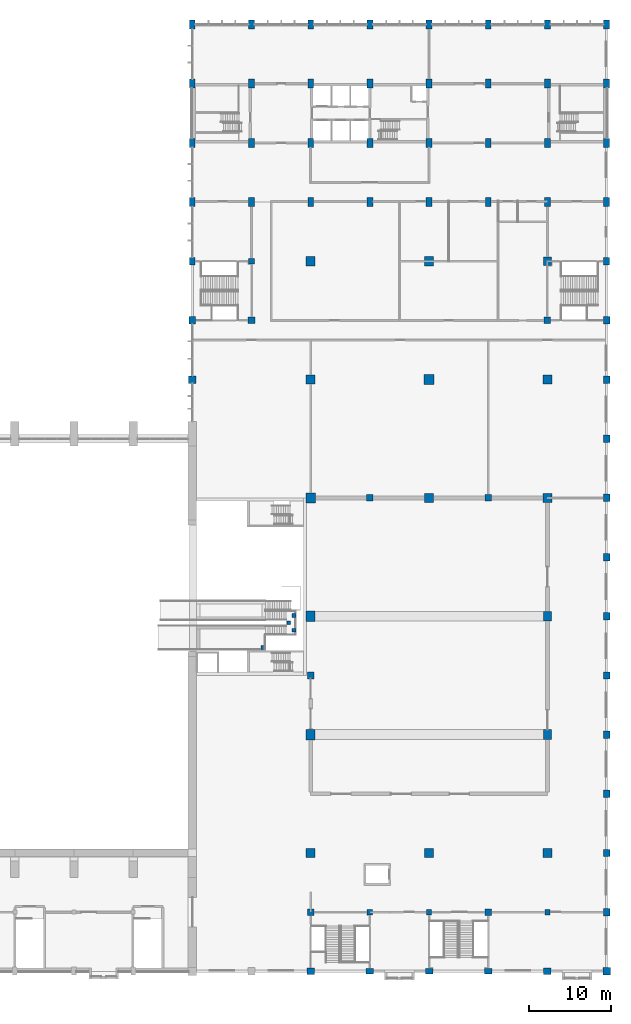
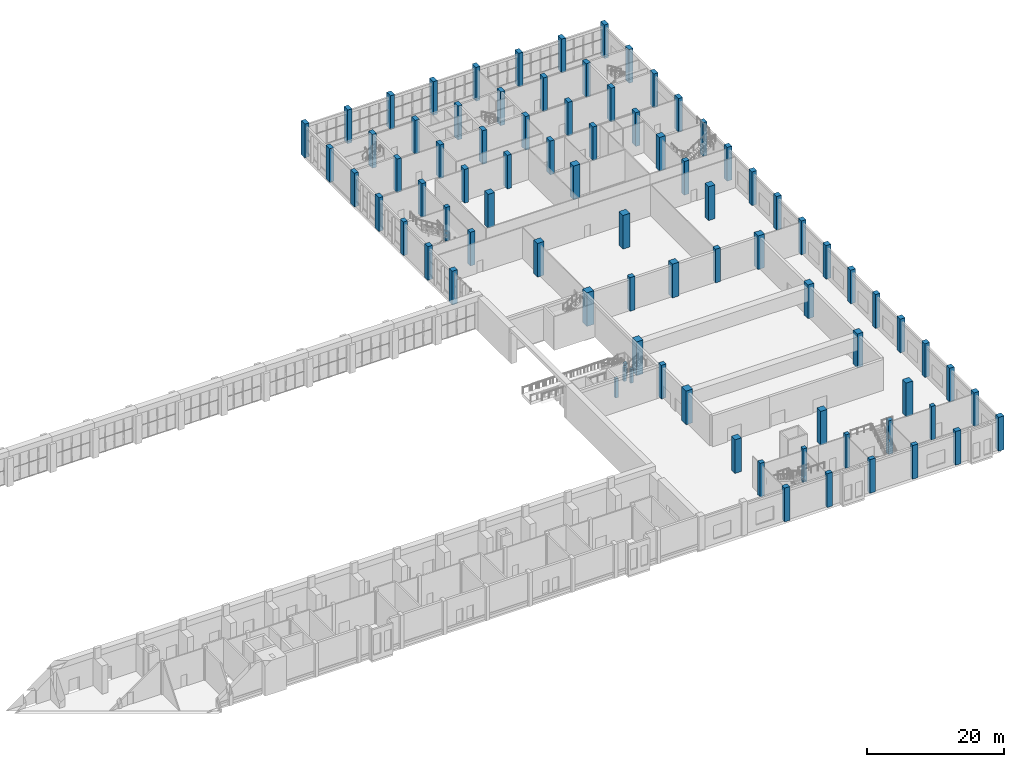
# One storey, part 2 of 44: 84 columns.
"""IFC4 building model written with IfcOpenShell, lengths in metres."""

from ifc_helpers import new_model, si_unit, direction, frame, origin, origin_2d, place, context, subcontext, project, spatial, rectangle, extrude, material, material_profile, profile_set, type_object, element, save


model = new_model("IFC4")

# Units and contexts
model_context = context("Model", 3, precision=1e-05, world=origin(), true_north=direction((0.0, 1.0)))
body_context = subcontext(model_context, "Body", "Model", "MODEL_VIEW")
ifc_project = project(units=[si_unit("LENGTHUNIT", "METRE"), si_unit("AREAUNIT", "SQUARE_METRE"), si_unit("VOLUMEUNIT", "CUBIC_METRE"), si_unit("PLANEANGLEUNIT", "RADIAN"), si_unit("MASSUNIT", "GRAM", prefix="KILO")], contexts=[model_context])

# Site, building, storey
site_placement = place(None, origin())
site = spatial("IfcSite", under=ifc_project, at=site_placement, CompositionType="ELEMENT")
building_placement = place(site_placement, origin())
building = spatial("IfcBuilding", under=site, at=building_placement, Name="Vermilion Court Aquatics Centre", CompositionType="ELEMENT")
storey_placement = place(building_placement, frame((0.0, 0.0, 6.0)))
storey = spatial("IfcBuildingStorey", under=building, at=storey_placement, Name="L01", CompositionType="ELEMENT", Elevation=6.0)

# Columns
ifc_material_1 = material(Name="Concrete 5000 psi", Category="concrete")
ifc_material_profile_1 = material_profile(ifc_material_1, rectangle(XDim=0.449951171875, YDim=0.449951171875, at=origin_2d()), Name="RC 450x450")
ifc_profile_set_1 = profile_set([ifc_material_profile_1], Name="Concrete 5000 psi")
column_type_1 = type_object("IfcColumnType", Name="Hall RC 450x450", PredefinedType="COLUMN", material=ifc_profile_set_1)
for number, where, z_axis, x_axis, name in (
    (1, (156.3701171875, 41.5, 0.0), (0.0, 0.0, 1.0), (1.0, 0.0, 0.0), "Diving tower stair column B1-1"),
    (2, (156.3701171875, 43.300048828125, 0.0), (0.0, 0.0, 1.0), (1.0, 0.0, 0.0), "Diving tower stair column B1-2"),
    (3, (155.719970703125, 42.39990234375, 0.0), (0.0, 0.0, 1.0), (1.0, 0.0, 0.0), "Diving tower stair column B1-G"),
):
    element("IfcColumn", number, at=place(storey_placement, frame(where, z_axis=z_axis, x_axis=x_axis)), inside=storey, type_object=column_type_1, Name=name, PredefinedType="COLUMN", context=body_context, shape_type="SweptSolid", body=[
        extrude(rectangle(XDim=0.449951171875, YDim=0.449951171875, at=origin_2d()), origin(), (0.0, 0.0, 1.0), 2.449951171875),
    ])
ifc_material_2 = material(Name="Concrete 5000 psi", Category="concrete")
ifc_material_profile_2 = material_profile(ifc_material_2, rectangle(XDim=0.5, YDim=0.5, at=origin_2d()), Name="RC 500x500")
ifc_profile_set_2 = profile_set([ifc_material_profile_2], Name="Concrete 5000 psi")
column_type_2 = type_object("IfcColumnType", Name="Hall RC 500x500", PredefinedType="COLUMN", material=ifc_profile_set_2)
column_1_placement = place(storey_placement, frame((152.60009765625, 39.39990234375, 0.0), z_axis=(0.0, 0.0, 1.0), x_axis=(1.0, 0.0, 0.0)))
element("IfcColumn", 4, at=column_1_placement, inside=storey, type_object=column_type_2, Name="Platform support column", PredefinedType="COLUMN", context=body_context, shape_type="SweptSolid", body=[
    extrude(rectangle(XDim=0.5, YDim=0.5, at=origin_2d()), origin(), (0.0, 0.0, 1.0), 3.39990234375),
])
ifc_material_3 = material(Name="Concrete 8000 psi", Category="concrete")
ifc_material_profile_3 = material_profile(ifc_material_3, rectangle(XDim=0.699951171875, YDim=1.10009765625, at=origin_2d()), Name="RC 700x1100")
ifc_profile_set_3 = profile_set([ifc_material_profile_3], Name="Concrete 8000 psi")
column_type_3 = type_object("IfcColumnType", Name="North block inner column 700x1100", PredefinedType="COLUMN", material=ifc_profile_set_3)
for number, where, z_axis, x_axis, name in (
    (5, (151.199951171875, 100.800048828125, 0.0), (0.0, 0.0, 1.0), (1.0, 0.0, 0.0), "Column 22Q L01"),
    (6, (151.199951171875, 108.0, 0.0), (0.0, 0.0, 1.0), (1.0, 0.0, 0.0), "Column 22R L01"),
    (7, (158.39990234375, 100.800048828125, 0.0), (0.0, 0.0, 1.0), (1.0, 0.0, 0.0), "Column 23Q L01"),
    (8, (158.39990234375, 108.0, 0.0), (0.0, 0.0, 1.0), (1.0, 0.0, 0.0), "Column 23R L01"),
    (9, (165.60009765625, 100.800048828125, 0.0), (0.0, 0.0, 1.0), (1.0, 0.0, 0.0), "Column 24Q L01"),
    (10, (165.60009765625, 108.0, 0.0), (0.0, 0.0, 1.0), (1.0, 0.0, 0.0), "Column 24R L01"),
    (11, (172.800048828125, 100.800048828125, 0.0), (0.0, 0.0, 1.0), (1.0, 0.0, 0.0), "Column 25Q L01"),
    (12, (172.800048828125, 108.0, 0.0), (0.0, 0.0, 1.0), (1.0, 0.0, 0.0), "Column 25R L01"),
    (13, (180.0, 100.800048828125, 0.0), (0.0, 0.0, 1.0), (1.0, 0.0, 0.0), "Column 26Q L01"),
    (14, (180.0, 108.0, 0.0), (0.0, 0.0, 1.0), (1.0, 0.0, 0.0), "Column 26R L01"),
    (15, (187.199951171875, 100.800048828125, 0.0), (0.0, 0.0, 1.0), (1.0, 0.0, 0.0), "Column 27Q L01"),
    (16, (187.199951171875, 108.0, 0.0), (0.0, 0.0, 1.0), (1.0, 0.0, 0.0), "Column 27R L01"),
):
    element("IfcColumn", number, at=place(storey_placement, frame(where, z_axis=z_axis, x_axis=x_axis)), inside=storey, type_object=column_type_3, Name=name, PredefinedType="COLUMN", context=body_context, shape_type="SweptSolid", body=[
        extrude(rectangle(XDim=0.699951171875, YDim=1.10009765625, at=origin_2d()), origin(), (0.0, 0.0, 1.0), 6.0),
    ])
ifc_material_4 = material(Name="Concrete 8000 psi", Category="concrete")
ifc_material_profile_4 = material_profile(ifc_material_4, rectangle(XDim=0.699951171875, YDim=1.10009765625, at=origin_2d()), Name="RC 700x1100")
ifc_profile_set_4 = profile_set([ifc_material_profile_4], Name="Concrete 8000 psi")
column_type_4 = type_object("IfcColumnType", Name="North block perimeter column 700x1100", PredefinedType="COLUMN", material=ifc_profile_set_4)
for number, where, z_axis, x_axis, name in (
    (17, (144.0, 93.60009765625, 0.0), (0.0, 0.0, 1.0), (1.0, 0.0, 0.0), "Column 21P L01"),
    (18, (144.0, 100.800048828125, 0.0), (0.0, 0.0, 1.0), (1.0, 0.0, 0.0), "Column 21Q L01"),
    (19, (144.0, 108.0, 0.0), (0.0, 0.0, 1.0), (1.0, 0.0, 0.0), "Column 21R L01"),
    (20, (144.0, 115.199951171875, 0.0), (0.0, 0.0, 1.0), (1.0, 0.0, 0.0), "Column 21S L01"),
    (21, (151.199951171875, 93.60009765625, 0.0), (0.0, 0.0, 1.0), (1.0, 0.0, 0.0), "Column 22P L01"),
    (22, (151.199951171875, 115.199951171875, 0.0), (0.0, 0.0, 1.0), (1.0, 0.0, 0.0), "Column 22S L01"),
    (23, (158.39990234375, 93.60009765625, 0.0), (0.0, 0.0, 1.0), (1.0, 0.0, 0.0), "Column 23P L01"),
    (24, (158.39990234375, 115.199951171875, 0.0), (0.0, 0.0, 1.0), (1.0, 0.0, 0.0), "Column 23S L01"),
    (25, (165.60009765625, 93.60009765625, 0.0), (0.0, 0.0, 1.0), (1.0, 0.0, 0.0), "Column 24P L01"),
    (26, (165.60009765625, 115.199951171875, 0.0), (0.0, 0.0, 1.0), (1.0, 0.0, 0.0), "Column 24S L01"),
    (27, (172.800048828125, 93.60009765625, 0.0), (0.0, 0.0, 1.0), (1.0, 0.0, 0.0), "Column 25P L01"),
    (28, (172.800048828125, 115.199951171875, 0.0), (0.0, 0.0, 1.0), (1.0, 0.0, 0.0), "Column 25S L01"),
    (29, (180.0, 93.60009765625, 0.0), (0.0, 0.0, 1.0), (1.0, 0.0, 0.0), "Column 26P L01"),
    (30, (180.0, 115.199951171875, 0.0), (0.0, 0.0, 1.0), (1.0, 0.0, 0.0), "Column 26S L01"),
    (31, (187.199951171875, 93.60009765625, 0.0), (0.0, 0.0, 1.0), (1.0, 0.0, 0.0), "Column 27P L01"),
    (32, (187.199951171875, 115.199951171875, 0.0), (0.0, 0.0, 1.0), (1.0, 0.0, 0.0), "Column 27S L01"),
    (33, (194.39990234375, 93.60009765625, 0.0), (0.0, 0.0, 1.0), (1.0, 0.0, 0.0), "Column 28P L01"),
    (34, (194.39990234375, 100.800048828125, 0.0), (0.0, 0.0, 1.0), (1.0, 0.0, 0.0), "Column 28Q L01"),
    (35, (194.39990234375, 108.0, 0.0), (0.0, 0.0, 1.0), (1.0, 0.0, 0.0), "Column 28R L01"),
    (36, (194.39990234375, 115.199951171875, 0.0), (0.0, 0.0, 1.0), (1.0, 0.0, 0.0), "Column 28S L01"),
):
    element("IfcColumn", number, at=place(storey_placement, frame(where, z_axis=z_axis, x_axis=x_axis)), inside=storey, type_object=column_type_4, Name=name, PredefinedType="COLUMN", context=body_context, shape_type="SweptSolid", body=[
        extrude(rectangle(XDim=0.699951171875, YDim=1.10009765625, at=origin_2d()), origin(), (0.0, 0.0, 1.0), 6.0),
    ])
ifc_material_5 = material(Name="Concrete 5000 psi", Category="concrete")
ifc_material_profile_5 = material_profile(ifc_material_5, rectangle(XDim=0.64990234375, YDim=0.64990234375, at=origin_2d()), Name="RC 650x650")
ifc_profile_set_5 = profile_set([ifc_material_profile_5], Name="Concrete 5000 psi")
column_type_5 = type_object("IfcColumnType", Name="Podium bay column RC 650x650", PredefinedType="COLUMN", material=ifc_profile_set_5)
for number, where, z_axis, x_axis, name in (
    (37, (165.60009765625, 7.199951171875, 0.0), (0.0, 0.0, 1.0), (1.0, 0.0, 0.0), "Column 24/B"),
    (38, (172.800048828125, 7.199951171875, 0.0), (0.0, 0.0, 1.0), (1.0, 0.0, 0.0), "Column 25/B"),
    (39, (187.199951171875, 7.199951171875, 0.0), (0.0, 0.0, 1.0), (1.0, 0.0, 0.0), "Column 27/B"),
):
    element("IfcColumn", number, at=place(storey_placement, frame(where, z_axis=z_axis, x_axis=x_axis)), inside=storey, type_object=column_type_5, Name=name, PredefinedType="COLUMN", context=body_context, shape_type="SweptSolid", body=[
        extrude(rectangle(XDim=0.64990234375, YDim=0.64990234375, at=origin_2d()), origin(), (0.0, 0.0, 1.0), 6.0),
    ])
ifc_material_6 = material(Name="Concrete 5000 psi", Category="concrete")
ifc_material_profile_6 = material_profile(ifc_material_6, rectangle(XDim=0.75, YDim=0.75, at=origin_2d()), Name="RC 750x750")
ifc_profile_set_6 = profile_set([ifc_material_profile_6], Name="Concrete 5000 psi")
column_type_6 = type_object("IfcColumnType", Name="Podium bay column RC 750x750", PredefinedType="COLUMN", material=ifc_profile_set_6)
for number, where, z_axis, x_axis, name in (
    (40, (158.39990234375, 7.199951171875, 0.0), (0.0, 0.0, 1.0), (1.0, 0.0, 0.0), "Column 23/B"),
    (41, (180.0, 7.199951171875, 0.0), (0.0, 0.0, 1.0), (1.0, 0.0, 0.0), "Column 26/B"),
):
    element("IfcColumn", number, at=place(storey_placement, frame(where, z_axis=z_axis, x_axis=x_axis)), inside=storey, type_object=column_type_6, Name=name, PredefinedType="COLUMN", context=body_context, shape_type="SweptSolid", body=[
        extrude(rectangle(XDim=0.75, YDim=0.75, at=origin_2d()), origin(), (0.0, 0.0, 1.0), 6.0),
    ])
ifc_material_7 = material(Name="Concrete 5000 psi", Category="concrete")
ifc_material_profile_7 = material_profile(ifc_material_7, rectangle(XDim=0.89990234375, YDim=0.89990234375, at=origin_2d()), Name="RC 900x900")
ifc_profile_set_7 = profile_set([ifc_material_profile_7], Name="Concrete 5000 psi")
column_type_7 = type_object("IfcColumnType", Name="Podium corner column RC 900x900", PredefinedType="COLUMN", material=ifc_profile_set_7)
column_2_placement = place(storey_placement, frame((194.39990234375, 0.0, 0.0), z_axis=(0.0, 0.0, 1.0), x_axis=(1.0, 0.0, 0.0)))
element("IfcColumn", 42, at=column_2_placement, inside=storey, type_object=column_type_7, Name="Column 28/A", PredefinedType="COLUMN", context=body_context, shape_type="SweptSolid", body=[
    extrude(rectangle(XDim=0.89990234375, YDim=0.89990234375, at=origin_2d()), origin(), (0.0, 0.0, 1.0), 6.0),
])
ifc_material_8 = material(Name="Concrete 5000 psi", Category="concrete")
ifc_material_profile_8 = material_profile(ifc_material_8, rectangle(XDim=0.699951171875, YDim=0.89990234375, at=origin_2d()), Name="RC 700x900")
ifc_profile_set_8 = profile_set([ifc_material_profile_8], Name="Concrete 5000 psi")
column_type_8 = type_object("IfcColumnType", Name="Podium facade column RC 700x900", PredefinedType="COLUMN", material=ifc_profile_set_8)
for number, where, z_axis, x_axis, name in (
    (43, (144.0, 86.39990234375, 0.0), (0.0, 0.0, 1.0), (1.0, 0.0, 0.0), "Column 21/N"),
    (44, (194.39990234375, 86.39990234375, 0.0), (0.0, 0.0, 1.0), (1.0, 0.0, 0.0), "Column 28/N"),
):
    element("IfcColumn", number, at=place(storey_placement, frame(where, z_axis=z_axis, x_axis=x_axis)), inside=storey, type_object=column_type_8, Name=name, PredefinedType="COLUMN", context=body_context, shape_type="SweptSolid", body=[
        extrude(rectangle(XDim=0.699951171875, YDim=0.89990234375, at=origin_2d()), origin(), (0.0, 0.0, 1.0), 6.0),
    ])
ifc_material_9 = material(Name="Concrete 5000 psi", Category="concrete")
ifc_material_profile_9 = material_profile(ifc_material_9, rectangle(XDim=0.800048828125, YDim=0.89990234375, at=origin_2d()), Name="RC 800x900")
ifc_profile_set_9 = profile_set([ifc_material_profile_9], Name="Concrete 5000 psi")
column_type_9 = type_object("IfcColumnType", Name="Podium facade column RC 800x900", PredefinedType="COLUMN", material=ifc_profile_set_9)
for number, where, z_axis, x_axis, name in (
    (45, (144.0, 79.199951171875, 0.0), (0.0, 0.0, 1.0), (1.0, 0.0, 0.0), "Column 21/M"),
    (46, (194.39990234375, 7.199951171875, 0.0), (0.0, 0.0, 1.0), (1.0, 0.0, 0.0), "Column 28/B"),
    (47, (194.39990234375, 14.39990234375, 0.0), (0.0, 0.0, 1.0), (1.0, 0.0, 0.0), "Column 28/C"),
    (48, (194.39990234375, 21.60009765625, 0.0), (0.0, 0.0, 1.0), (1.0, 0.0, 0.0), "Column 28/D"),
    (49, (194.39990234375, 28.800048828125, 0.0), (0.0, 0.0, 1.0), (1.0, 0.0, 0.0), "Column 28/E"),
    (50, (194.39990234375, 36.0, 0.0), (0.0, 0.0, 1.0), (1.0, 0.0, 0.0), "Column 28/F"),
    (51, (194.39990234375, 43.199951171875, 0.0), (0.0, 0.0, 1.0), (1.0, 0.0, 0.0), "Column 28/G"),
    (52, (194.39990234375, 50.39990234375, 0.0), (0.0, 0.0, 1.0), (1.0, 0.0, 0.0), "Column 28/H"),
    (53, (194.39990234375, 57.60009765625, 0.0), (0.0, 0.0, 1.0), (1.0, 0.0, 0.0), "Column 28/J"),
    (54, (194.39990234375, 64.800048828125, 0.0), (0.0, 0.0, 1.0), (1.0, 0.0, 0.0), "Column 28/K"),
    (55, (194.39990234375, 72.0, 0.0), (0.0, 0.0, 1.0), (1.0, 0.0, 0.0), "Column 28/L"),
    (56, (194.39990234375, 79.199951171875, 0.0), (0.0, 0.0, 1.0), (1.0, 0.0, 0.0), "Column 28/M"),
):
    element("IfcColumn", number, at=place(storey_placement, frame(where, z_axis=z_axis, x_axis=x_axis)), inside=storey, type_object=column_type_9, Name=name, PredefinedType="COLUMN", context=body_context, shape_type="SweptSolid", body=[
        extrude(rectangle(XDim=0.800048828125, YDim=0.89990234375, at=origin_2d()), origin(), (0.0, 0.0, 1.0), 6.0),
    ])
ifc_material_10 = material(Name="Concrete 5000 psi", Category="concrete")
ifc_material_profile_10 = material_profile(ifc_material_10, rectangle(XDim=0.89990234375, YDim=0.699951171875, at=origin_2d()), Name="RC 900x700")
ifc_profile_set_10 = profile_set([ifc_material_profile_10], Name="Concrete 5000 psi")
column_type_10 = type_object("IfcColumnType", Name="Podium facade column RC 900x700", PredefinedType="COLUMN", material=ifc_profile_set_10)
for number, where, z_axis, x_axis, name in (
    (57, (165.60009765625, 0.0, 0.0), (0.0, 0.0, 1.0), (1.0, 0.0, 0.0), "Column 24/A"),
    (58, (172.800048828125, 0.0, 0.0), (0.0, 0.0, 1.0), (1.0, 0.0, 0.0), "Column 25/A"),
    (59, (180.0, 0.0, 0.0), (0.0, 0.0, 1.0), (1.0, 0.0, 0.0), "Column 26/A"),
):
    element("IfcColumn", number, at=place(storey_placement, frame(where, z_axis=z_axis, x_axis=x_axis)), inside=storey, type_object=column_type_10, Name=name, PredefinedType="COLUMN", context=body_context, shape_type="SweptSolid", body=[
        extrude(rectangle(XDim=0.89990234375, YDim=0.699951171875, at=origin_2d()), origin(), (0.0, 0.0, 1.0), 6.0),
    ])
ifc_material_11 = material(Name="Concrete 5000 psi", Category="concrete")
ifc_material_profile_11 = material_profile(ifc_material_11, rectangle(XDim=0.89990234375, YDim=0.800048828125, at=origin_2d()), Name="RC 900x800")
ifc_profile_set_11 = profile_set([ifc_material_profile_11], Name="Concrete 5000 psi")
column_type_11 = type_object("IfcColumnType", Name="Podium facade column RC 900x800", PredefinedType="COLUMN", material=ifc_profile_set_11)
for number, where, z_axis, x_axis, name in (
    (60, (158.39990234375, 0.0, 0.0), (0.0, 0.0, 1.0), (1.0, 0.0, 0.0), "Column 23/A"),
    (61, (187.199951171875, 0.0, 0.0), (0.0, 0.0, 1.0), (1.0, 0.0, 0.0), "Column 27/A"),
):
    element("IfcColumn", number, at=place(storey_placement, frame(where, z_axis=z_axis, x_axis=x_axis)), inside=storey, type_object=column_type_11, Name=name, PredefinedType="COLUMN", context=body_context, shape_type="SweptSolid", body=[
        extrude(rectangle(XDim=0.89990234375, YDim=0.800048828125, at=origin_2d()), origin(), (0.0, 0.0, 1.0), 6.0),
    ])
ifc_material_12 = material(Name="Concrete 5000 psi", Category="concrete")
ifc_material_profile_12 = material_profile(ifc_material_12, rectangle(XDim=0.89990234375, YDim=0.89990234375, at=origin_2d()), Name="RC 900x900")
ifc_profile_set_12 = profile_set([ifc_material_profile_12], Name="Concrete 5000 psi")
column_type_12 = type_object("IfcColumnType", Name="Podium facade column RC 900x900", PredefinedType="COLUMN", material=ifc_profile_set_12)
column_3_placement = place(storey_placement, frame((144.0, 72.0, 0.0), z_axis=(0.0, 0.0, 1.0), x_axis=(1.0, 0.0, 0.0)))
element("IfcColumn", 62, at=column_3_placement, inside=storey, type_object=column_type_12, Name="Column 21/L", PredefinedType="COLUMN", context=body_context, shape_type="SweptSolid", body=[
    extrude(rectangle(XDim=0.89990234375, YDim=0.89990234375, at=origin_2d()), origin(), (0.0, 0.0, 1.0), 6.0),
])
ifc_material_13 = material(Name="Concrete 5000 psi", Category="concrete")
ifc_material_profile_13 = material_profile(ifc_material_13, rectangle(XDim=0.800048828125, YDim=0.800048828125, at=origin_2d()), Name="RC 800x800")
ifc_profile_set_13 = profile_set([ifc_material_profile_13], Name="Concrete 5000 psi")
column_type_13 = type_object("IfcColumnType", Name="Podium fitness hall column RC 800x800", PredefinedType="COLUMN", material=ifc_profile_set_13)
for number, where, z_axis, x_axis, name in (
    (63, (158.39990234375, 36.0, 0.0), (0.0, 0.0, 1.0), (1.0, 0.0, 0.0), "Column 23/F"),
    (64, (165.60009765625, 57.60009765625, 0.0), (0.0, 0.0, 1.0), (1.0, 0.0, 0.0), "Column 24/J"),
    (65, (180.0, 57.60009765625, 0.0), (0.0, 0.0, 1.0), (1.0, 0.0, 0.0), "Column 26/J"),
):
    element("IfcColumn", number, at=place(storey_placement, frame(where, z_axis=z_axis, x_axis=x_axis)), inside=storey, type_object=column_type_13, Name=name, PredefinedType="COLUMN", context=body_context, shape_type="SweptSolid", body=[
        extrude(rectangle(XDim=0.800048828125, YDim=0.800048828125, at=origin_2d()), origin(), (0.0, 0.0, 1.0), 6.0),
    ])
ifc_material_14 = material(Name="Concrete 5000 psi", Category="concrete")
ifc_material_profile_14 = material_profile(ifc_material_14, rectangle(XDim=0.699951171875, YDim=0.699951171875, at=origin_2d()), Name="RC 700x700")
ifc_profile_set_14 = profile_set([ifc_material_profile_14], Name="Concrete 5000 psi")
column_type_14 = type_object("IfcColumnType", Name="Podium interior column RC 700x700", PredefinedType="COLUMN", material=ifc_profile_set_14)
column_4_placement = place(storey_placement, frame((151.199951171875, 86.39990234375, 0.0), z_axis=(0.0, 0.0, 1.0), x_axis=(1.0, 0.0, 0.0)))
element("IfcColumn", 66, at=column_4_placement, inside=storey, type_object=column_type_14, Name="Column 22/N", PredefinedType="COLUMN", context=body_context, shape_type="SweptSolid", body=[
    extrude(rectangle(XDim=0.699951171875, YDim=0.699951171875, at=origin_2d()), origin(), (0.0, 0.0, 1.0), 6.0),
])
ifc_material_15 = material(Name="Concrete 5000 psi", Category="concrete")
ifc_material_profile_15 = material_profile(ifc_material_15, rectangle(XDim=0.800048828125, YDim=0.800048828125, at=origin_2d()), Name="RC 800x800")
ifc_profile_set_15 = profile_set([ifc_material_profile_15], Name="Concrete 5000 psi")
column_type_15 = type_object("IfcColumnType", Name="Podium interior column RC 800x800", PredefinedType="COLUMN", material=ifc_profile_set_15)
for number, where, z_axis, x_axis, name in (
    (67, (151.199951171875, 79.199951171875, 0.0), (0.0, 0.0, 1.0), (1.0, 0.0, 0.0), "Column 22/M"),
    (68, (187.199951171875, 79.199951171875, 0.0), (0.0, 0.0, 1.0), (1.0, 0.0, 0.0), "Column 27/M"),
):
    element("IfcColumn", number, at=place(storey_placement, frame(where, z_axis=z_axis, x_axis=x_axis)), inside=storey, type_object=column_type_15, Name=name, PredefinedType="COLUMN", context=body_context, shape_type="SweptSolid", body=[
        extrude(rectangle(XDim=0.800048828125, YDim=0.800048828125, at=origin_2d()), origin(), (0.0, 0.0, 1.0), 6.0),
    ])
ifc_material_16 = material(Name="Concrete 5000 psi", Category="concrete")
ifc_material_profile_16 = material_profile(ifc_material_16, rectangle(XDim=1.0, YDim=1.0, at=origin_2d()), Name="RC 1000x1000")
ifc_profile_set_16 = profile_set([ifc_material_profile_16], Name="Concrete 5000 psi")
column_type_16 = type_object("IfcColumnType", Name="Podium node column 1000", PredefinedType="COLUMN", material=ifc_profile_set_16)
column_5_placement = place(storey_placement, frame((187.199951171875, 86.39990234375, 0.0), z_axis=(0.0, 0.0, 1.0), x_axis=(1.0, 0.0, 0.0)))
element("IfcColumn", 69, at=column_5_placement, inside=storey, type_object=column_type_16, Name="Column 27/N", PredefinedType="COLUMN", context=body_context, shape_type="SweptSolid", body=[
    extrude(rectangle(XDim=1.0, YDim=1.0, at=origin_2d()), origin(), (0.0, 0.0, 1.0), 6.0),
])
ifc_material_17 = material(Name="Concrete 5000 psi", Category="concrete")
ifc_material_profile_17 = material_profile(ifc_material_17, rectangle(XDim=1.0, YDim=1.199951171875, at=origin_2d()), Name="RC 1000x1200")
ifc_profile_set_17 = profile_set([ifc_material_profile_17], Name="Concrete 5000 psi")
column_type_17 = type_object("IfcColumnType", Name="Podium node column 1000x1200", PredefinedType="COLUMN", material=ifc_profile_set_17)
for number, where, z_axis, x_axis, name in (
    (70, (187.199951171875, 28.800048828125, 0.0), (0.0, 0.0, 1.0), (1.0, 0.0, 0.0), "Column 27/E"),
    (71, (187.199951171875, 43.199951171875, 0.0), (0.0, 0.0, 1.0), (1.0, 0.0, 0.0), "Column 27/G"),
):
    element("IfcColumn", number, at=place(storey_placement, frame(where, z_axis=z_axis, x_axis=x_axis)), inside=storey, type_object=column_type_17, Name=name, PredefinedType="COLUMN", context=body_context, shape_type="SweptSolid", body=[
        extrude(rectangle(XDim=1.0, YDim=1.199951171875, at=origin_2d()), origin(), (0.0, 0.0, 1.0), 6.0),
    ])
ifc_material_18 = material(Name="Concrete 5000 psi", Category="concrete")
ifc_material_profile_18 = material_profile(ifc_material_18, rectangle(XDim=1.10009765625, YDim=1.10009765625, at=origin_2d()), Name="RC 1100x1100")
ifc_profile_set_18 = profile_set([ifc_material_profile_18], Name="Concrete 5000 psi")
column_type_18 = type_object("IfcColumnType", Name="Podium node column 1100", PredefinedType="COLUMN", material=ifc_profile_set_18)
for number, where, z_axis, x_axis, name in (
    (72, (158.39990234375, 14.39990234375, 0.0), (0.0, 0.0, 1.0), (1.0, 0.0, 0.0), "Column 23/C"),
    (73, (158.39990234375, 72.0, 0.0), (0.0, 0.0, 1.0), (1.0, 0.0, 0.0), "Column 23/L"),
    (74, (158.39990234375, 86.39990234375, 0.0), (0.0, 0.0, 1.0), (1.0, 0.0, 0.0), "Column 23/N"),
    (75, (172.800048828125, 14.39990234375, 0.0), (0.0, 0.0, 1.0), (1.0, 0.0, 0.0), "Column 25/C"),
    (76, (172.800048828125, 57.60009765625, 0.0), (0.0, 0.0, 1.0), (1.0, 0.0, 0.0), "Column 25/J"),
    (77, (172.800048828125, 86.39990234375, 0.0), (0.0, 0.0, 1.0), (1.0, 0.0, 0.0), "Column 25/N"),
    (78, (187.199951171875, 14.39990234375, 0.0), (0.0, 0.0, 1.0), (1.0, 0.0, 0.0), "Column 27/C"),
    (79, (187.199951171875, 57.60009765625, 0.0), (0.0, 0.0, 1.0), (1.0, 0.0, 0.0), "Column 27/J"),
    (80, (187.199951171875, 72.0, 0.0), (0.0, 0.0, 1.0), (1.0, 0.0, 0.0), "Column 27/L"),
):
    element("IfcColumn", number, at=place(storey_placement, frame(where, z_axis=z_axis, x_axis=x_axis)), inside=storey, type_object=column_type_18, Name=name, PredefinedType="COLUMN", context=body_context, shape_type="SweptSolid", body=[
        extrude(rectangle(XDim=1.10009765625, YDim=1.10009765625, at=origin_2d()), origin(), (0.0, 0.0, 1.0), 6.0),
    ])
ifc_material_19 = material(Name="Concrete 5000 psi", Category="concrete")
ifc_material_profile_19 = material_profile(ifc_material_19, rectangle(XDim=1.10009765625, YDim=1.300048828125, at=origin_2d()), Name="RC 1100x1300")
ifc_profile_set_19 = profile_set([ifc_material_profile_19], Name="Concrete 5000 psi")
column_type_19 = type_object("IfcColumnType", Name="Podium node column 1100x1300", PredefinedType="COLUMN", material=ifc_profile_set_19)
for number, where, z_axis, x_axis, name in (
    (81, (158.39990234375, 28.800048828125, 0.0), (0.0, 0.0, 1.0), (1.0, 0.0, 0.0), "Column 23/E"),
    (82, (158.39990234375, 43.199951171875, 0.0), (0.0, 0.0, 1.0), (1.0, 0.0, 0.0), "Column 23/G"),
):
    element("IfcColumn", number, at=place(storey_placement, frame(where, z_axis=z_axis, x_axis=x_axis)), inside=storey, type_object=column_type_19, Name=name, PredefinedType="COLUMN", context=body_context, shape_type="SweptSolid", body=[
        extrude(rectangle(XDim=1.10009765625, YDim=1.300048828125, at=origin_2d()), origin(), (0.0, 0.0, 1.0), 6.0),
    ])
ifc_material_20 = material(Name="Concrete 5000 psi", Category="concrete")
ifc_material_profile_20 = material_profile(ifc_material_20, rectangle(XDim=1.199951171875, YDim=1.199951171875, at=origin_2d()), Name="RC 1200x1200")
ifc_profile_set_20 = profile_set([ifc_material_profile_20], Name="Concrete 5000 psi")
column_type_20 = type_object("IfcColumnType", Name="Podium node column 1200", PredefinedType="COLUMN", material=ifc_profile_set_20)
for number, where, z_axis, x_axis, name in (
    (83, (158.39990234375, 57.60009765625, 0.0), (0.0, 0.0, 1.0), (1.0, 0.0, 0.0), "Column 23/J"),
    (84, (172.800048828125, 72.0, 0.0), (0.0, 0.0, 1.0), (1.0, 0.0, 0.0), "Column 25/L"),
):
    element("IfcColumn", number, at=place(storey_placement, frame(where, z_axis=z_axis, x_axis=x_axis)), inside=storey, type_object=column_type_20, Name=name, PredefinedType="COLUMN", context=body_context, shape_type="SweptSolid", body=[
        extrude(rectangle(XDim=1.199951171875, YDim=1.199951171875, at=origin_2d()), origin(), (0.0, 0.0, 1.0), 6.0),
    ])

save(model, "model.ifc")
